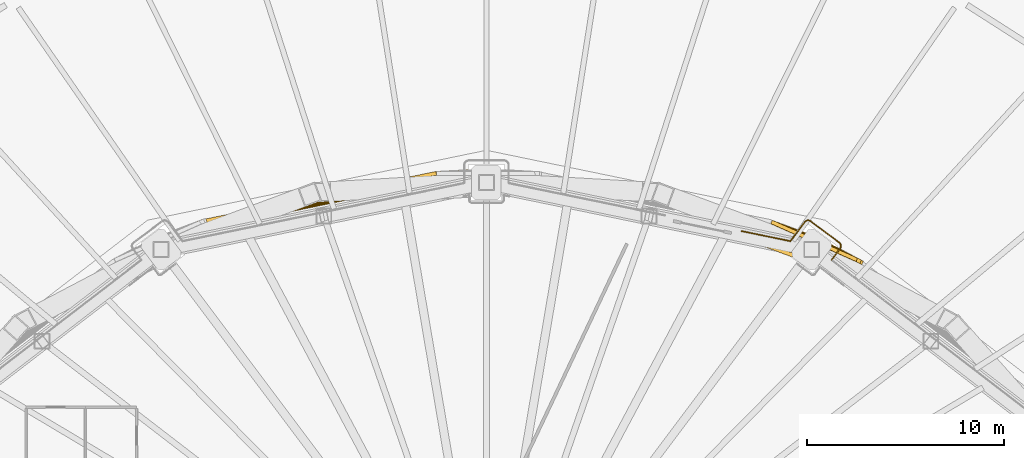
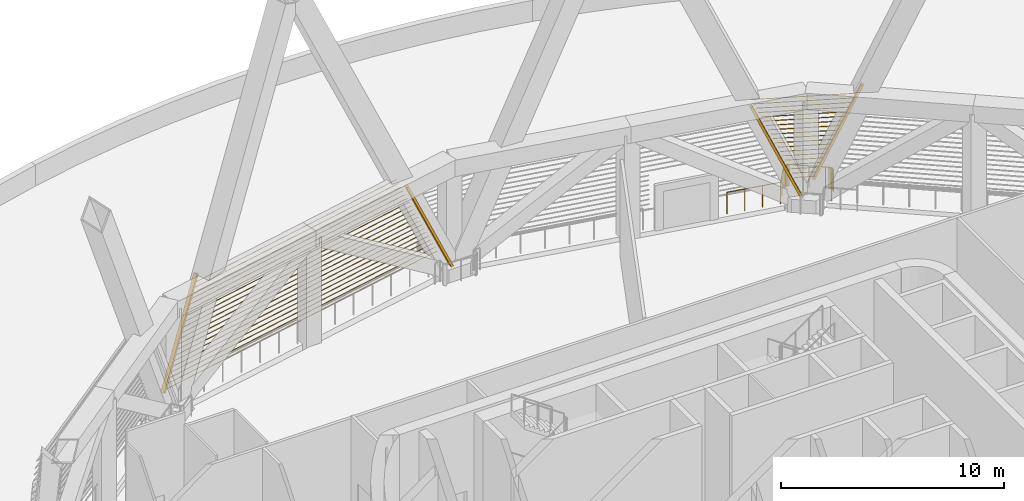
# One storey, part 26 of 27: 2 shading devices, 1 railing.
"""IFC4 building model written with IfcOpenShell, lengths in metres."""

import ifcopenshell
import ifcopenshell.guid

model = None  # the IFC model being written
_history = None  # IfcOwnerHistory: only IFC2X3 demands one
_inside = {}  # id of a spatial element -> (the spatial element, [elements in it])
_under = {}  # id of a project, library or spatial element -> (it, [spatial elements below it])
_declared = {}  # id of a project -> (the project, [libraries it declares])
_typed = {}  # id of a type object -> (the type object, [elements of that type])
_made_of = {}  # id of a material, layer set ... -> (it, [elements and type objects made of it])


def new_model(schema):
    """Start an empty IFC model of exactly this schema.

    Asked for "IFC4X3", IfcOpenShell would pick the latest addendum, in which some entities
    have other attributes; the version numbers below select the first issue.
    IFC2X3 requires an IfcOwnerHistory on every rooted entity: one is made here for all.
    """
    global model, _history
    if schema == "IFC4X3":
        model = ifcopenshell.file(schema_version=(4, 3, 0, 0))
    else:
        model = ifcopenshell.file(schema=schema)
    _inside.clear()
    _under.clear()
    _declared.clear()
    _typed.clear()
    _made_of.clear()
    _history = None
    if model.schema == "IFC2X3":
        org = make("IfcOrganization", Name="unknown")
        user = make(
            "IfcPersonAndOrganization",
            ThePerson=make("IfcPerson", FamilyName="unknown"),
            TheOrganization=org,
        )
        app = make(
            "IfcApplication",
            ApplicationDeveloper=org,
            Version="unknown",
            ApplicationFullName="unknown",
            ApplicationIdentifier="unknown",
        )
        _history = make(
            "IfcOwnerHistory",
            OwningUser=user,
            OwningApplication=app,
            ChangeAction="ADDED",
            CreationDate=0,
        )
    return model


def make(cls, **values):
    """One entity of the class cls with the attributes given. An attribute that is None is left unset."""
    return model.create_entity(
        cls, **{name: value for name, value in values.items() if value is not None}
    )


def rooted(cls, **values):
    """An entity with a GlobalId (a new one), such as an element, a storey or a relation."""
    return make(cls, GlobalId=ifcopenshell.guid.new(), OwnerHistory=_history, **values)


def si_unit(unit_type, name, prefix=None):
    """IfcSIUnit, for example si_unit("LENGTHUNIT", "METRE", prefix="MILLI")."""
    return make("IfcSIUnit", UnitType=unit_type, Prefix=prefix, Name=name)


def assignment(units):
    """IfcUnitAssignment: the units of a project."""
    return None if units is None else make("IfcUnitAssignment", Units=units)


def point(xyz):
    """IfcCartesianPoint."""
    return None if xyz is None else make("IfcCartesianPoint", Coordinates=xyz)


def direction(xyz):
    """IfcDirection."""
    return None if xyz is None else make("IfcDirection", DirectionRatios=xyz)


def frame(location, z_axis=None, x_axis=None):
    """IfcAxis2Placement3D, a coordinate frame: its origin and axes. An axis left out is left unset."""
    return make(
        "IfcAxis2Placement3D",
        Location=point(location),
        Axis=direction(z_axis),
        RefDirection=direction(x_axis),
    )


def frame_2d(location, x_axis=None):
    """IfcAxis2Placement2D, a coordinate frame in the plane: its origin and x axis."""
    return make(
        "IfcAxis2Placement2D", Location=point(location), RefDirection=direction(x_axis)
    )


def origin():
    """The frame at (0, 0, 0) with its axes left unset."""
    return frame((0.0, 0.0, 0.0))


def origin_2d():
    """The frame at (0, 0) in the plane with its x axis left unset."""
    return frame_2d((0.0, 0.0))


def place(relative_to, where):
    """IfcLocalPlacement: puts the frame where relative to a parent placement (None: the world)."""
    return make(
        "IfcLocalPlacement", PlacementRelTo=relative_to, RelativePlacement=where
    )


def context(
    kind, dimensions, precision=None, world=None, true_north=None, identifier=None
):
    """IfcGeometricRepresentationContext, for example the 3D "Model" context."""
    return make(
        "IfcGeometricRepresentationContext",
        ContextIdentifier=identifier,
        ContextType=kind,
        CoordinateSpaceDimension=dimensions,
        Precision=precision,
        WorldCoordinateSystem=world,
        TrueNorth=true_north,
    )


def subcontext(parent, identifier, kind, view, scale=None):
    """IfcGeometricRepresentationSubContext, for example "Body" below "Model"."""
    return make(
        "IfcGeometricRepresentationSubContext",
        ContextIdentifier=identifier,
        ContextType=kind,
        ParentContext=parent,
        TargetScale=scale,
        TargetView=view,
    )


def project(units=None, contexts=None):
    """IfcProject with its units and contexts."""
    return rooted(
        "IfcProject",
        Name="project",
        RepresentationContexts=contexts,
        UnitsInContext=assignment(units),
    )


def spatial(cls, under=None, at=None, **own):
    """A site, building, storey or space (cls), placed at a placement, below another one or the project."""
    s = rooted(cls, ObjectPlacement=at, **own)
    if under is not None:
        _under.setdefault(under.id(), (under, []))[1].append(s)
    return s


def profile(cls, at=None, kind="AREA", **sizes):
    """A parametric profile (cls). Its sizes go by their IFC names, for example OverallWidth=200.0."""
    return make(cls, ProfileType=kind, Position=at, **sizes)


def rectangle(**sizes):
    """IfcRectangleProfileDef."""
    return profile("IfcRectangleProfileDef", **sizes)


def circle(**sizes):
    """IfcCircleProfileDef."""
    return profile("IfcCircleProfileDef", **sizes)


def extrude(swept, where, along, depth):
    """IfcExtrudedAreaSolid: the profile swept, set in the frame where, extruded along a direction by depth."""
    return make(
        "IfcExtrudedAreaSolid",
        SweptArea=swept,
        Position=where,
        ExtrudedDirection=direction(along),
        Depth=depth,
    )


def shape(context_of_items, identifier, shape_type, items):
    """IfcShapeRepresentation: the items that make up one representation, for example the "Body"."""
    return make(
        "IfcShapeRepresentation",
        ContextOfItems=context_of_items,
        RepresentationIdentifier=identifier,
        RepresentationType=shape_type,
        Items=items,
    )


def material(Name=None, Category=None):
    """IfcMaterial."""
    return make("IfcMaterial", Name=Name, Category=Category)


def made_of(thing, what):
    """Note that an element or type object is made of a material, layer set ...; save() writes the relation."""
    if what is not None:
        _made_of.setdefault(what.id(), (what, []))[1].append(thing)
    return thing


def type_object(cls, material=None, **own):
    """A type object (cls), such as IfcWallType, which elements share."""
    return made_of(rooted(cls, **own), material)


def element(
    cls,
    number,
    at=None,
    inside=None,
    cuts=None,
    type_object=None,
    material=None,
    context=None,
    identifier="Body",
    shape_type=None,
    held_by="IfcProductDefinitionShape",
    body=None,
    shapes=None,
    **own,
):
    """One element of the class cls, such as IfcWall. Its Tag is "e" and its number.

    at: its placement. inside: the storey or other place that contains it. cuts: it is an
    opening in that element (IfcRelVoidsElement). A single representation is given by context,
    identifier, shape_type and body (its items); several are given by shapes. held_by: the class
    of the entity that holds the representations. save() writes the other relations.
    """
    e = rooted(cls, Tag="e%d" % number, ObjectPlacement=at, **own)
    if body is not None:
        shapes = [shape(context, identifier, shape_type, body)]
    if shapes is not None:
        e.Representation = make(held_by, Representations=shapes)
    if inside is not None:
        _inside.setdefault(inside.id(), (inside, []))[1].append(e)
    if cuts is not None:
        rooted(
            "IfcRelVoidsElement", RelatingBuildingElement=cuts, RelatedOpeningElement=e
        )
    if type_object is not None:
        _typed.setdefault(type_object.id(), (type_object, []))[1].append(e)
    return made_of(e, material)


def aggregate(whole, parts):
    """IfcRelAggregates: a whole, such as a stair, and the parts it consists of."""
    return rooted("IfcRelAggregates", RelatingObject=whole, RelatedObjects=parts)


def save(model, path):
    """Write the relations noted so far, then the file.

    IfcRelAggregates (storeys below a building ...), IfcRelContainedInSpatialStructure (elements
    in a storey), IfcRelDefinesByType, IfcRelAssociatesMaterial and IfcRelDeclares: one each for
    every whole, place, type object, material and project.
    """
    for whole, parts in _under.values():
        aggregate(whole, parts)
    for where, things in _inside.values():
        rooted(
            "IfcRelContainedInSpatialStructure",
            RelatedElements=things,
            RelatingStructure=where,
        )
    for kind, things in _typed.values():
        rooted("IfcRelDefinesByType", RelatedObjects=things, RelatingType=kind)
    for what, things in _made_of.values():
        rooted("IfcRelAssociatesMaterial", RelatedObjects=things, RelatingMaterial=what)
    for by, libraries in _declared.values():
        rooted("IfcRelDeclares", RelatingContext=by, RelatedDefinitions=libraries)
    model.write(path)


model = new_model("IFC4")

# Units and contexts
model_context = context("Model", 3, precision=1e-05, world=origin(), true_north=direction((0.0, 1.0)))
body_context = subcontext(model_context, "Body", "Model", "MODEL_VIEW")
ifc_project = project(units=[si_unit("LENGTHUNIT", "METRE"), si_unit("AREAUNIT", "SQUARE_METRE"), si_unit("VOLUMEUNIT", "CUBIC_METRE"), si_unit("PLANEANGLEUNIT", "RADIAN"), si_unit("MASSUNIT", "GRAM", prefix="KILO")], contexts=[model_context])

# Site, building, storey
site_placement = place(None, origin())
site = spatial("IfcSite", under=ifc_project, at=site_placement, CompositionType="ELEMENT")
building_placement = place(site_placement, origin())
building = spatial("IfcBuilding", under=site, at=building_placement, Name="Sahrelin Media Tower", CompositionType="ELEMENT")
storey_placement = place(building_placement, frame((0.0, 0.0, 44.0)))
storey = spatial("IfcBuildingStorey", under=building, at=storey_placement, Name="L06", CompositionType="ELEMENT", Elevation=44.0)

# Railing
ifc_material_1 = material(Name="Stainless steel 316", Category="steel")
railing_type = type_object("IfcRailingType", Name="Maintenance platform guard", PredefinedType="GUARDRAIL", material=ifc_material_1)
railing_placement = place(storey_placement, frame((12.93701171875, 22.93603515625, 0.0)))
element("IfcRailing", 1, at=railing_placement, inside=storey, type_object=railing_type, Name="Podium terrace edge guard 3", PredefinedType="GUARDRAIL", context=body_context, shape_type="SweptSolid", body=[
    extrude(circle(Radius=0.02392578125, at=origin_2d()), frame((0.0, 0.0, 1.17578125), z_axis=(0.979381459621, -0.20201969347, 0.0), x_axis=(0.20201969347, 0.979381459621, 0.0)), (0.0, 0.0, 1.0), 2.535400390625),
    extrude(circle(Radius=0.02392578125, at=origin_2d()), frame((2.483154296875, -0.51220703125, 1.17578125), z_axis=(0.6, 0.8, 0.0), x_axis=(-0.8, 0.6, 0.0)), (0.0, 0.0, 1.0), 1.209716796875),
    extrude(circle(Radius=0.02392578125, at=origin_2d()), frame((3.208984375, 0.45556640625, 1.17578125), z_axis=(0.626556911825, 0.779375670806, 0.0), x_axis=(-0.779375670806, 0.626556911825, 0.0)), (0.0, 0.0, 1.0), 0.015869140625),
    extrude(circle(Radius=0.02392578125, at=origin_2d()), frame((3.218994140625, 0.468017578125, 1.17578125), z_axis=(0.707106781187, 0.707106781187, 0.0), x_axis=(-0.707106781187, 0.707106781187, 0.0)), (0.0, 0.0, 1.0), 0.02734375),
    extrude(circle(Radius=0.02392578125, at=origin_2d()), frame((3.23828125, 0.4873046875, 1.17578125), z_axis=(0.801433113276, 0.598084412892, 0.0), x_axis=(-0.598084412892, 0.801433113276, 0.0)), (0.0, 0.0, 1.0), 0.0205078125),
    extrude(circle(Radius=0.02392578125, at=origin_2d()), frame((3.254638671875, 0.49951171875, 1.17578125), z_axis=(0.821188788729, 0.570656615896, 0.0), x_axis=(-0.570656615896, 0.821188788729, 0.0)), (0.0, 0.0, 1.0), 0.017578125),
    extrude(circle(Radius=0.02392578125, at=origin_2d()), frame((3.26904296875, 0.509521484375, 1.17578125), z_axis=(0.884658760957, 0.466239076721, 0.0), x_axis=(-0.466239076721, 0.884658760957, 0.0)), (0.0, 0.0, 1.0), 0.0205078125),
    extrude(circle(Radius=0.02392578125, at=origin_2d()), frame((3.287109375, 0.51904296875, 1.17578125), z_axis=(0.915024637441, 0.403397958442, 0.0), x_axis=(-0.403397958442, 0.915024637441, 0.0)), (0.0, 0.0, 1.0), 0.02490234375),
    extrude(circle(Radius=0.02392578125, at=origin_2d()), frame((3.309814453125, 0.529052734375, 1.17578125), z_axis=(0.967724234524, 0.252011519407, 0.0), x_axis=(-0.252011519407, 0.967724234524, 0.0)), (0.0, 0.0, 1.0), 0.024169921875),
    extrude(circle(Radius=0.02392578125, at=origin_2d()), frame((3.333251953125, 0.53515625, 1.17578125), z_axis=(0.980030589124, 0.198846786199, 0.0), x_axis=(-0.198846786199, 0.980030589124, 0.0)), (0.0, 0.0, 1.0), 0.01708984375),
    extrude(circle(Radius=0.02392578125, at=origin_2d()), frame((3.35009765625, 0.53857421875, 1.17578125), z_axis=(0.99360525479, 0.112909688044, 0.0), x_axis=(-0.112909688044, 0.99360525479, 0.0)), (0.0, 0.0, 1.0), 0.021728515625),
    extrude(circle(Radius=0.02392578125, at=origin_2d()), frame((3.37158203125, 0.541015625, 1.17578125), z_axis=(1.0, 0.0, 0.0), x_axis=(0.0, 1.0, 0.0)), (0.0, 0.0, 1.0), 0.023193359375),
    extrude(circle(Radius=0.02392578125, at=origin_2d()), frame((3.394775390625, 0.541015625, 1.17578125), z_axis=(0.994144463069, -0.108059180768, 0.0), x_axis=(0.108059180768, 0.994144463069, 0.0)), (0.0, 0.0, 1.0), 0.022705078125),
    extrude(circle(Radius=0.02392578125, at=origin_2d()), frame((3.417236328125, 0.53857421875, 1.17578125), z_axis=(0.979714932283, -0.200396236149, 0.0), x_axis=(0.200396236149, 0.979714932283, 0.0)), (0.0, 0.0, 1.0), 0.02197265625),
    extrude(circle(Radius=0.02392578125, at=origin_2d()), frame((3.438720703125, 0.5341796875, 1.17578125), z_axis=(0.952788174703, -0.303635791938, 0.0), x_axis=(0.303635791938, 0.952788174703, 0.0)), (0.0, 0.0, 1.0), 0.0234375),
    extrude(circle(Radius=0.02392578125, at=origin_2d()), frame((3.4609375, 0.527099609375, 1.17578125), z_axis=(0.910366477463, -0.413802944301, 0.0), x_axis=(0.413802944301, 0.910366477463, 0.0)), (0.0, 0.0, 1.0), 0.017578125),
    extrude(circle(Radius=0.02392578125, at=origin_2d()), frame((3.47705078125, 0.519775390625, 1.17578125), z_axis=(0.896805884775, -0.442424236489, 0.0), x_axis=(0.442424236489, 0.896805884775, 0.0)), (0.0, 0.0, 1.0), 0.0205078125),
    extrude(circle(Radius=0.02392578125, at=origin_2d()), frame((3.495361328125, 0.5107421875, 1.17578125), z_axis=(0.824400775661, -0.566006502692, 0.0), x_axis=(0.566006502692, 0.824400775661, 0.0)), (0.0, 0.0, 1.0), 0.019775390625),
    extrude(circle(Radius=0.02392578125, at=origin_2d()), frame((3.51171875, 0.49951171875, 1.17578125), z_axis=(0.800032399741, -0.599956797916, 0.0), x_axis=(0.599956797916, 0.800032399741, 0.0)), (0.0, 0.0, 1.0), 0.904296875),
    extrude(circle(Radius=0.02392578125, at=origin_2d()), frame((4.235107421875, -0.04296875, 1.17578125), z_axis=(0.799804645125, -0.600260384864, 0.0), x_axis=(0.600260384864, 0.799804645125, 0.0)), (0.0, 0.0, 1.0), 0.75),
    extrude(circle(Radius=0.02392578125, at=origin_2d()), frame((4.8349609375, -0.4931640625, 1.17578125), z_axis=(0.800382490291, -0.599489674003, 0.0), x_axis=(0.599489674003, 0.800382490291, 0.0)), (0.0, 0.0, 1.0), 0.153076171875),
    extrude(circle(Radius=0.02392578125, at=origin_2d()), frame((4.95751953125, -0.5849609375, 1.17578125), z_axis=(0.779375670806, -0.626556911825, 0.0), x_axis=(0.626556911825, 0.779375670806, 0.0)), (0.0, 0.0, 1.0), 0.015869140625),
    extrude(circle(Radius=0.02392578125, at=origin_2d()), frame((4.969970703125, -0.594970703125, 1.17578125), z_axis=(0.711539921164, -0.702645672149, 0.0), x_axis=(0.702645672149, 0.711539921164, 0.0)), (0.0, 0.0, 1.0), 0.02734375),
    extrude(circle(Radius=0.02392578125, at=origin_2d()), frame((4.989501953125, -0.6142578125, 1.17578125), z_axis=(0.598084412892, -0.801433113276, 0.0), x_axis=(0.801433113276, 0.598084412892, 0.0)), (0.0, 0.0, 1.0), 0.0205078125),
    extrude(circle(Radius=0.02392578125, at=origin_2d()), frame((5.001708984375, -0.630615234375, 1.17578125), z_axis=(0.561158303868, -0.827708498205, 0.0), x_axis=(0.827708498205, 0.561158303868, 0.0)), (0.0, 0.0, 1.0), 0.017333984375),
    extrude(circle(Radius=0.02392578125, at=origin_2d()), frame((5.011474609375, -0.64501953125, 1.17578125), z_axis=(0.466239076721, -0.884658760957, 0.0), x_axis=(0.884658760957, 0.466239076721, 0.0)), (0.0, 0.0, 1.0), 0.0205078125),
    extrude(circle(Radius=0.02392578125, at=origin_2d()), frame((5.02099609375, -0.6630859375, 1.17578125), z_axis=(0.40794006219, -0.913008710616, 0.0), x_axis=(0.913008710616, 0.40794006219, 0.0)), (0.0, 0.0, 1.0), 0.025146484375),
    extrude(circle(Radius=0.02392578125, at=origin_2d()), frame((5.03125, -0.68603515625, 1.17578125), z_axis=(0.25449329928, -0.967074537263, 0.0), x_axis=(0.967074537263, 0.25449329928, 0.0)), (0.0, 0.0, 1.0), 0.02392578125),
    extrude(circle(Radius=0.02392578125, at=origin_2d()), frame((5.037353515625, -0.709228515625, 1.17578125), z_axis=(0.196116135138, -0.980580675691, 0.0), x_axis=(0.980580675691, 0.196116135138, 0.0)), (0.0, 0.0, 1.0), 0.017333984375),
    extrude(circle(Radius=0.02392578125, at=origin_2d()), frame((5.040771484375, -0.726318359375, 1.17578125), z_axis=(0.10174201541, -0.994810817342, 0.0), x_axis=(0.994810817342, 0.10174201541, 0.0)), (0.0, 0.0, 1.0), 0.021484375),
    extrude(circle(Radius=0.02392578125, at=origin_2d()), frame((5.04296875, -0.747802734375, 1.17578125), z_axis=(0.0, -1.0, 0.0), x_axis=(1.0, 0.0, 0.0)), (0.0, 0.0, 1.0), 0.02294921875),
    extrude(circle(Radius=0.02392578125, at=origin_2d()), frame((5.04296875, -0.770751953125, 1.17578125), z_axis=(-0.106910606117, -0.994268636888, 0.0), x_axis=(0.994268636888, -0.106910606117, 0.0)), (0.0, 0.0, 1.0), 0.02294921875),
    extrude(circle(Radius=0.02392578125, at=origin_2d()), frame((5.04052734375, -0.79345703125, 1.17578125), z_axis=(-0.200396236149, -0.979714932283, 0.0), x_axis=(0.979714932283, -0.200396236149, 0.0)), (0.0, 0.0, 1.0), 0.02197265625),
    extrude(circle(Radius=0.02392578125, at=origin_2d()), frame((5.0361328125, -0.81494140625, 1.17578125), z_axis=(-0.306693767453, -0.951808243821, 0.0), x_axis=(0.951808243821, -0.306693767453, 0.0)), (0.0, 0.0, 1.0), 0.023193359375),
    extrude(circle(Radius=0.02392578125, at=origin_2d()), frame((5.029052734375, -0.8369140625, 1.17578125), z_axis=(-0.402273699495, -0.915519454023, 0.0), x_axis=(0.915519454023, -0.402273699495, 0.0)), (0.0, 0.0, 1.0), 0.017578125),
    extrude(circle(Radius=0.02392578125, at=origin_2d()), frame((5.02197265625, -0.85302734375, 1.17578125), z_axis=(-0.451964793189, -0.89203577603, 0.0), x_axis=(0.89203577603, -0.451964793189, 0.0)), (0.0, 0.0, 1.0), 0.0205078125),
    extrude(circle(Radius=0.02392578125, at=origin_2d()), frame((5.0126953125, -0.871337890625, 1.17578125), z_axis=(-0.560309367704, -0.828283413128, 0.0), x_axis=(0.828283413128, -0.560309367704, 0.0)), (0.0, 0.0, 1.0), 0.02001953125),
    extrude(circle(Radius=0.02392578125, at=origin_2d()), frame((5.00146484375, -0.887939453125, 1.17578125), z_axis=(-0.600217620446, -0.799836738407, 0.0), x_axis=(0.799836738407, -0.600217620446, 0.0)), (0.0, 0.0, 1.0), 0.718017578125),
    extrude(circle(Radius=0.02099609375, at=origin_2d()), origin(), (0.0, 0.0, 1.0), 1.15185546875),
    extrude(circle(Radius=0.02099609375, at=origin_2d()), frame((0.82763671875, -0.170654296875, 0.0)), (0.0, 0.0, 1.0), 1.15185546875),
    extrude(circle(Radius=0.02099609375, at=origin_2d()), frame((1.655517578125, -0.341552734375, 0.0)), (0.0, 0.0, 1.0), 1.15185546875),
    extrude(circle(Radius=0.02099609375, at=origin_2d()), frame((2.483154296875, -0.51220703125, 0.0)), (0.0, 0.0, 1.0), 1.15185546875),
    extrude(circle(Radius=0.02099609375, at=origin_2d()), frame((2.84619140625, -0.0283203125, 0.0)), (0.0, 0.0, 1.0), 1.15185546875),
    extrude(circle(Radius=0.02099609375, at=origin_2d()), frame((3.208984375, 0.45556640625, 0.0)), (0.0, 0.0, 1.0), 1.15185546875),
    extrude(circle(Radius=0.02099609375, at=origin_2d()), frame((3.218994140625, 0.468017578125, 0.0)), (0.0, 0.0, 1.0), 1.15185546875),
    extrude(circle(Radius=0.02099609375, at=origin_2d()), frame((3.23828125, 0.4873046875, 0.0)), (0.0, 0.0, 1.0), 1.15185546875),
    extrude(circle(Radius=0.02099609375, at=origin_2d()), frame((3.254638671875, 0.49951171875, 0.0)), (0.0, 0.0, 1.0), 1.15185546875),
    extrude(circle(Radius=0.02099609375, at=origin_2d()), frame((3.26904296875, 0.509521484375, 0.0)), (0.0, 0.0, 1.0), 1.15185546875),
    extrude(circle(Radius=0.02099609375, at=origin_2d()), frame((3.287109375, 0.51904296875, 0.0)), (0.0, 0.0, 1.0), 1.15185546875),
    extrude(circle(Radius=0.02099609375, at=origin_2d()), frame((3.309814453125, 0.529052734375, 0.0)), (0.0, 0.0, 1.0), 1.15185546875),
    extrude(circle(Radius=0.02099609375, at=origin_2d()), frame((3.333251953125, 0.53515625, 0.0)), (0.0, 0.0, 1.0), 1.15185546875),
    extrude(circle(Radius=0.02099609375, at=origin_2d()), frame((3.35009765625, 0.53857421875, 0.0)), (0.0, 0.0, 1.0), 1.15185546875),
    extrude(circle(Radius=0.02099609375, at=origin_2d()), frame((3.37158203125, 0.541015625, 0.0)), (0.0, 0.0, 1.0), 1.15185546875),
    extrude(circle(Radius=0.02099609375, at=origin_2d()), frame((3.394775390625, 0.541015625, 0.0)), (0.0, 0.0, 1.0), 1.15185546875),
    extrude(circle(Radius=0.02099609375, at=origin_2d()), frame((3.417236328125, 0.53857421875, 0.0)), (0.0, 0.0, 1.0), 1.15185546875),
    extrude(circle(Radius=0.02099609375, at=origin_2d()), frame((3.438720703125, 0.5341796875, 0.0)), (0.0, 0.0, 1.0), 1.15185546875),
    extrude(circle(Radius=0.02099609375, at=origin_2d()), frame((3.4609375, 0.527099609375, 0.0)), (0.0, 0.0, 1.0), 1.15185546875),
    extrude(circle(Radius=0.02099609375, at=origin_2d()), frame((3.47705078125, 0.519775390625, 0.0)), (0.0, 0.0, 1.0), 1.15185546875),
    extrude(circle(Radius=0.02099609375, at=origin_2d()), frame((3.495361328125, 0.5107421875, 0.0)), (0.0, 0.0, 1.0), 1.15185546875),
    extrude(circle(Radius=0.02099609375, at=origin_2d()), frame((3.51171875, 0.49951171875, 0.0)), (0.0, 0.0, 1.0), 1.15185546875),
    extrude(circle(Radius=0.02099609375, at=origin_2d()), frame((4.235107421875, -0.04296875, 0.0)), (0.0, 0.0, 1.0), 1.15185546875),
    extrude(circle(Radius=0.02099609375, at=origin_2d()), frame((4.8349609375, -0.4931640625, 0.0)), (0.0, 0.0, 1.0), 1.15185546875),
    extrude(circle(Radius=0.02099609375, at=origin_2d()), frame((4.95751953125, -0.5849609375, 0.0)), (0.0, 0.0, 1.0), 1.15185546875),
    extrude(circle(Radius=0.02099609375, at=origin_2d()), frame((4.969970703125, -0.594970703125, 0.0)), (0.0, 0.0, 1.0), 1.15185546875),
    extrude(circle(Radius=0.02099609375, at=origin_2d()), frame((4.989501953125, -0.6142578125, 0.0)), (0.0, 0.0, 1.0), 1.15185546875),
    extrude(circle(Radius=0.02099609375, at=origin_2d()), frame((5.001708984375, -0.630615234375, 0.0)), (0.0, 0.0, 1.0), 1.15185546875),
    extrude(circle(Radius=0.02099609375, at=origin_2d()), frame((5.011474609375, -0.64501953125, 0.0)), (0.0, 0.0, 1.0), 1.15185546875),
    extrude(circle(Radius=0.02099609375, at=origin_2d()), frame((5.02099609375, -0.6630859375, 0.0)), (0.0, 0.0, 1.0), 1.15185546875),
    extrude(circle(Radius=0.02099609375, at=origin_2d()), frame((5.03125, -0.68603515625, 0.0)), (0.0, 0.0, 1.0), 1.15185546875),
    extrude(circle(Radius=0.02099609375, at=origin_2d()), frame((5.037353515625, -0.709228515625, 0.0)), (0.0, 0.0, 1.0), 1.15185546875),
    extrude(circle(Radius=0.02099609375, at=origin_2d()), frame((5.040771484375, -0.726318359375, 0.0)), (0.0, 0.0, 1.0), 1.15185546875),
    extrude(circle(Radius=0.02099609375, at=origin_2d()), frame((5.04296875, -0.747802734375, 0.0)), (0.0, 0.0, 1.0), 1.15185546875),
    extrude(circle(Radius=0.02099609375, at=origin_2d()), frame((5.04296875, -0.770751953125, 0.0)), (0.0, 0.0, 1.0), 1.15185546875),
    extrude(circle(Radius=0.02099609375, at=origin_2d()), frame((5.04052734375, -0.79345703125, 0.0)), (0.0, 0.0, 1.0), 1.15185546875),
    extrude(circle(Radius=0.02099609375, at=origin_2d()), frame((5.0361328125, -0.81494140625, 0.0)), (0.0, 0.0, 1.0), 1.15185546875),
    extrude(circle(Radius=0.02099609375, at=origin_2d()), frame((5.029052734375, -0.8369140625, 0.0)), (0.0, 0.0, 1.0), 1.15185546875),
    extrude(circle(Radius=0.02099609375, at=origin_2d()), frame((5.02197265625, -0.85302734375, 0.0)), (0.0, 0.0, 1.0), 1.15185546875),
    extrude(circle(Radius=0.02099609375, at=origin_2d()), frame((5.0126953125, -0.871337890625, 0.0)), (0.0, 0.0, 1.0), 1.15185546875),
    extrude(circle(Radius=0.02099609375, at=origin_2d()), frame((5.00146484375, -0.887939453125, 0.0)), (0.0, 0.0, 1.0), 1.15185546875),
    extrude(circle(Radius=0.02099609375, at=origin_2d()), frame((4.570556640625, -1.462158203125, 0.0)), (0.0, 0.0, 1.0), 1.15185546875),
])

# Shading devices
ifc_material_2 = material(Name="Champagne anodised aluminium 6063-T6", Category="aluminium")
shading_device_type = type_object("IfcShadingDeviceType", Name="Sand-rejection louvre band", PredefinedType="USERDEFINED", material=ifc_material_2)
shading_device_1_placement = place(storey_placement, frame((16.480712890625, 22.005615234375, 0.0), z_axis=(0.0, 0.0, 1.0), x_axis=(0.913823919654, -0.406110630085, 0.0)))
element("IfcShadingDevice", 2, at=shading_device_1_placement, inside=storey, type_object=shading_device_type, Name="L06:LOUVRE:L06-04", ObjectType="LOUVRE", PredefinedType="USERDEFINED", context=body_context, shape_type="SweptSolid", body=[
    extrude(rectangle(XDim=0.199951171875, YDim=0.1201171875, at=origin_2d()), frame((0.42236328125, 0.5751953125, 0.85009765625), z_axis=(0.391747813898, -0.02563206607, 0.919715525309), x_axis=(0.065290409158, 0.997866304909, 0.0)), (0.0, 0.0, 1.0), 5.54345703125),
    extrude(rectangle(XDim=0.199951171875, YDim=0.1201171875, at=origin_2d()), frame((-0.313720703125, -0.622314453125, 0.85009765625), z_axis=(-0.401670065779, -0.025512602672, 0.915429006184), x_axis=(0.063388579339, -0.997988921787, 0.0)), (0.0, 0.0, 1.0), 5.5693359375),
    extrude(rectangle(XDim=0.25, YDim=0.02001953125, at=origin_2d()), frame((0.465087890625, 0.573486328125, 0.949951171875), z_axis=(-1.0, 0.0, 0.0), x_axis=(0.0, -0.766044443119, 0.642787609687)), (0.0, 0.0, 1.0), 0.898681640625),
    extrude(rectangle(XDim=0.25, YDim=0.02001953125, at=origin_2d()), frame((0.571533203125, 0.566650390625, 1.199951171875), z_axis=(-1.0, 0.0, 0.0), x_axis=(0.0, -0.766044443119, 0.642787609687)), (0.0, 0.0, 1.0), 1.114990234375),
    extrude(rectangle(XDim=0.25, YDim=0.02001953125, at=origin_2d()), frame((0.677978515625, 0.559814453125, 1.449951171875), z_axis=(-1.0, 0.0, 0.0), x_axis=(0.0, -0.766044443119, 0.642787609687)), (0.0, 0.0, 1.0), 1.3310546875),
    extrude(rectangle(XDim=0.25, YDim=0.02001953125, at=origin_2d()), frame((0.784423828125, 0.552734375, 1.699951171875), z_axis=(-1.0, 0.0, 0.0), x_axis=(0.0, -0.766044443119, 0.642787609687)), (0.0, 0.0, 1.0), 1.547119140625),
    extrude(rectangle(XDim=0.25, YDim=0.02001953125, at=origin_2d()), frame((0.890869140625, 0.5458984375, 1.949951171875), z_axis=(-1.0, 0.0, 0.0), x_axis=(0.0, -0.766044443119, 0.642787609687)), (0.0, 0.0, 1.0), 1.76318359375),
    extrude(rectangle(XDim=0.25, YDim=0.02001953125, at=origin_2d()), frame((0.997314453125, 0.538818359375, 2.199951171875), z_axis=(-1.0, 0.0, 0.0), x_axis=(0.0, -0.766044443119, 0.642787609687)), (0.0, 0.0, 1.0), 1.9794921875),
    extrude(rectangle(XDim=0.25, YDim=0.02001953125, at=origin_2d()), frame((1.10400390625, 0.531982421875, 2.449951171875), z_axis=(-1.0, 0.0, 0.0), x_axis=(0.0, -0.766044443119, 0.642787609687)), (0.0, 0.0, 1.0), 2.19580078125),
    extrude(rectangle(XDim=0.25, YDim=0.02001953125, at=origin_2d()), frame((1.21044921875, 0.52490234375, 2.699951171875), z_axis=(-1.0, 0.0, 0.0), x_axis=(0.0, -0.766044443119, 0.642787609687)), (0.0, 0.0, 1.0), 2.411865234375),
    extrude(rectangle(XDim=0.25, YDim=0.02001953125, at=origin_2d()), frame((1.31689453125, 0.51806640625, 2.949951171875), z_axis=(-1.0, 0.0, 0.0), x_axis=(0.0, -0.766044443119, 0.642787609687)), (0.0, 0.0, 1.0), 2.628173828125),
    extrude(rectangle(XDim=0.25, YDim=0.02001953125, at=origin_2d()), frame((1.42333984375, 0.510986328125, 3.199951171875), z_axis=(-1.0, 0.0, 0.0), x_axis=(0.0, -0.766044443119, 0.642787609687)), (0.0, 0.0, 1.0), 2.84423828125),
    extrude(rectangle(XDim=0.25, YDim=0.02001953125, at=origin_2d()), frame((1.52978515625, 0.504150390625, 3.449951171875), z_axis=(-1.0, 0.0, 0.0), x_axis=(0.0, -0.766044443119, 0.642787609687)), (0.0, 0.0, 1.0), 3.060302734375),
    extrude(rectangle(XDim=0.25, YDim=0.02001953125, at=origin_2d()), frame((1.636474609375, 0.4970703125, 3.699951171875), z_axis=(-1.0, 0.0, 0.0), x_axis=(0.0, -0.766044443119, 0.642787609687)), (0.0, 0.0, 1.0), 3.276611328125),
    extrude(rectangle(XDim=0.25, YDim=0.02001953125, at=origin_2d()), frame((1.742919921875, 0.489990234375, 3.949951171875), z_axis=(-1.0, 0.0, 0.0), x_axis=(0.0, -0.766044443119, 0.642787609687)), (0.0, 0.0, 1.0), 3.492919921875),
    extrude(rectangle(XDim=0.25, YDim=0.02001953125, at=origin_2d()), frame((1.849365234375, 0.483154296875, 4.199951171875), z_axis=(-1.0, 0.0, 0.0), x_axis=(0.0, -0.766044443119, 0.642787609687)), (0.0, 0.0, 1.0), 3.708984375),
    extrude(rectangle(XDim=0.25, YDim=0.02001953125, at=origin_2d()), frame((1.955810546875, 0.476318359375, 4.449951171875), z_axis=(-1.0, 0.0, 0.0), x_axis=(0.0, -0.766044443119, 0.642787609687)), (0.0, 0.0, 1.0), 3.925048828125),
    extrude(rectangle(XDim=0.25, YDim=0.02001953125, at=origin_2d()), frame((2.062255859375, 0.46923828125, 4.699951171875), z_axis=(-1.0, 0.0, 0.0), x_axis=(0.0, -0.766044443119, 0.642787609687)), (0.0, 0.0, 1.0), 4.14111328125),
    extrude(rectangle(XDim=0.25, YDim=0.02001953125, at=origin_2d()), frame((2.168701171875, 0.46240234375, 4.949951171875), z_axis=(-1.0, 0.0, 0.0), x_axis=(0.0, -0.766044443119, 0.642787609687)), (0.0, 0.0, 1.0), 4.357421875),
    extrude(rectangle(XDim=0.25, YDim=0.02001953125, at=origin_2d()), frame((2.275390625, 0.455322265625, 5.199951171875), z_axis=(-1.0, 0.0, 0.0), x_axis=(0.0, -0.766044443119, 0.642787609687)), (0.0, 0.0, 1.0), 4.57373046875),
    extrude(rectangle(XDim=0.25, YDim=0.02001953125, at=origin_2d()), frame((2.3818359375, 0.448486328125, 5.449951171875), z_axis=(-1.0, 0.0, 0.0), x_axis=(0.0, -0.766044443119, 0.642787609687)), (0.0, 0.0, 1.0), 4.789794921875),
])
shading_device_2_placement = place(storey_placement, frame((-8.280029296875, 23.6923828125, 0.0), z_axis=(0.0, 0.0, 1.0), x_axis=(0.979386112403, 0.201997135701, 0.0)))
element("IfcShadingDevice", 3, at=shading_device_2_placement, inside=storey, type_object=shading_device_type, Name="L06:LOUVRE:L06-07", ObjectType="LOUVRE", PredefinedType="USERDEFINED", context=body_context, shape_type="SweptSolid", body=[
    extrude(rectangle(XDim=0.199951171875, YDim=0.1201171875, at=origin_2d()), frame((8.073486328125, -0.550537109375, 0.64990234375), z_axis=(-0.41124293034, 0.06030557187, 0.909528718759), x_axis=(-0.145090498409, -0.989418388384, 0.0)), (0.0, 0.0, 1.0), 5.82568359375),
    extrude(rectangle(XDim=0.199951171875, YDim=0.1201171875, at=origin_2d()), frame((-8.200927734375, 0.63623046875, 0.64990234375), z_axis=(0.397844932486, 0.060739684349, 0.91543983988), x_axis=(-0.150922980828, 0.988545524424, 0.0)), (0.0, 0.0, 1.0), 5.7880859375),
    extrude(rectangle(XDim=0.25, YDim=0.02001953125, at=origin_2d()), frame((8.203369140625, 0.64990234375, 0.75), z_axis=(-1.0, 0.0, 0.0), x_axis=(0.0, -0.766044443119, 0.642787609687)), (0.0, 0.0, 1.0), 16.36181640625),
    extrude(rectangle(XDim=0.25, YDim=0.02001953125, at=origin_2d()), frame((8.09033203125, 0.666259765625, 1.0), z_axis=(-1.0, 0.0, 0.0), x_axis=(0.0, -0.766044443119, 0.642787609687)), (0.0, 0.0, 1.0), 16.14013671875),
    extrude(rectangle(XDim=0.25, YDim=0.02001953125, at=origin_2d()), frame((7.977294921875, 0.682861328125, 1.25), z_axis=(-1.0, 0.0, 0.0), x_axis=(0.0, -0.766044443119, 0.642787609687)), (0.0, 0.0, 1.0), 15.918701171875),
    extrude(rectangle(XDim=0.25, YDim=0.02001953125, at=origin_2d()), frame((7.8642578125, 0.699462890625, 1.5), z_axis=(-1.0, 0.0, 0.0), x_axis=(0.0, -0.766044443119, 0.642787609687)), (0.0, 0.0, 1.0), 15.69677734375),
    extrude(rectangle(XDim=0.25, YDim=0.02001953125, at=origin_2d()), frame((7.751220703125, 0.716064453125, 1.75), z_axis=(-1.0, 0.0, 0.0), x_axis=(0.0, -0.766044443119, 0.642787609687)), (0.0, 0.0, 1.0), 15.475341796875),
    extrude(rectangle(XDim=0.25, YDim=0.02001953125, at=origin_2d()), frame((7.63818359375, 0.732666015625, 2.0), z_axis=(-1.0, 0.0, 0.0), x_axis=(0.0, -0.766044443119, 0.642787609687)), (0.0, 0.0, 1.0), 15.25341796875),
    extrude(rectangle(XDim=0.25, YDim=0.02001953125, at=origin_2d()), frame((7.525146484375, 0.749267578125, 2.25), z_axis=(-1.0, 0.0, 0.0), x_axis=(0.0, -0.766044443119, 0.642787609687)), (0.0, 0.0, 1.0), 15.03173828125),
    extrude(rectangle(XDim=0.25, YDim=0.02001953125, at=origin_2d()), frame((7.412109375, 0.765869140625, 2.5), z_axis=(-1.0, 0.0, 0.0), x_axis=(0.0, -0.766044443119, 0.642787609687)), (0.0, 0.0, 1.0), 14.81005859375),
    extrude(rectangle(XDim=0.25, YDim=0.02001953125, at=origin_2d()), frame((7.299072265625, 0.782470703125, 2.75), z_axis=(-1.0, 0.0, 0.0), x_axis=(0.0, -0.766044443119, 0.642787609687)), (0.0, 0.0, 1.0), 14.58837890625),
    extrude(rectangle(XDim=0.25, YDim=0.02001953125, at=origin_2d()), frame((7.18603515625, 0.799072265625, 3.0), z_axis=(-1.0, 0.0, 0.0), x_axis=(0.0, -0.766044443119, 0.642787609687)), (0.0, 0.0, 1.0), 14.366943359375),
    extrude(rectangle(XDim=0.25, YDim=0.02001953125, at=origin_2d()), frame((7.072998046875, 0.815673828125, 3.25), z_axis=(-1.0, 0.0, 0.0), x_axis=(0.0, -0.766044443119, 0.642787609687)), (0.0, 0.0, 1.0), 14.14501953125),
    extrude(rectangle(XDim=0.25, YDim=0.02001953125, at=origin_2d()), frame((6.9599609375, 0.832275390625, 3.5), z_axis=(-1.0, 0.0, 0.0), x_axis=(0.0, -0.766044443119, 0.642787609687)), (0.0, 0.0, 1.0), 13.92333984375),
    extrude(rectangle(XDim=0.25, YDim=0.02001953125, at=origin_2d()), frame((6.846923828125, 0.848876953125, 3.75), z_axis=(-1.0, 0.0, 0.0), x_axis=(0.0, -0.766044443119, 0.642787609687)), (0.0, 0.0, 1.0), 13.70166015625),
    extrude(rectangle(XDim=0.25, YDim=0.02001953125, at=origin_2d()), frame((6.73388671875, 0.865234375, 4.0), z_axis=(-1.0, 0.0, 0.0), x_axis=(0.0, -0.766044443119, 0.642787609687)), (0.0, 0.0, 1.0), 13.47998046875),
    extrude(rectangle(XDim=0.25, YDim=0.02001953125, at=origin_2d()), frame((6.620849609375, 0.8818359375, 4.25), z_axis=(-1.0, 0.0, 0.0), x_axis=(0.0, -0.766044443119, 0.642787609687)), (0.0, 0.0, 1.0), 13.258544921875),
    extrude(rectangle(XDim=0.25, YDim=0.02001953125, at=origin_2d()), frame((6.5078125, 0.8984375, 4.5), z_axis=(-1.0, 0.0, 0.0), x_axis=(0.0, -0.766044443119, 0.642787609687)), (0.0, 0.0, 1.0), 13.03662109375),
    extrude(rectangle(XDim=0.25, YDim=0.02001953125, at=origin_2d()), frame((6.394775390625, 0.9150390625, 4.75), z_axis=(-1.0, 0.0, 0.0), x_axis=(0.0, -0.766044443119, 0.642787609687)), (0.0, 0.0, 1.0), 12.815185546875),
    extrude(rectangle(XDim=0.25, YDim=0.02001953125, at=origin_2d()), frame((6.28173828125, 0.931640625, 5.0), z_axis=(-1.0, 0.0, 0.0), x_axis=(0.0, -0.766044443119, 0.642787609687)), (0.0, 0.0, 1.0), 12.59326171875),
    extrude(rectangle(XDim=0.25, YDim=0.02001953125, at=origin_2d()), frame((6.168701171875, 0.9482421875, 5.25), z_axis=(-1.0, 0.0, 0.0), x_axis=(0.0, -0.766044443119, 0.642787609687)), (0.0, 0.0, 1.0), 12.37158203125),
    extrude(rectangle(XDim=0.25, YDim=0.02001953125, at=origin_2d()), frame((6.0556640625, 0.96484375, 5.5), z_axis=(-1.0, 0.0, 0.0), x_axis=(0.0, -0.766044443119, 0.642787609687)), (0.0, 0.0, 1.0), 12.14990234375),
])

save(model, "model.ifc")
